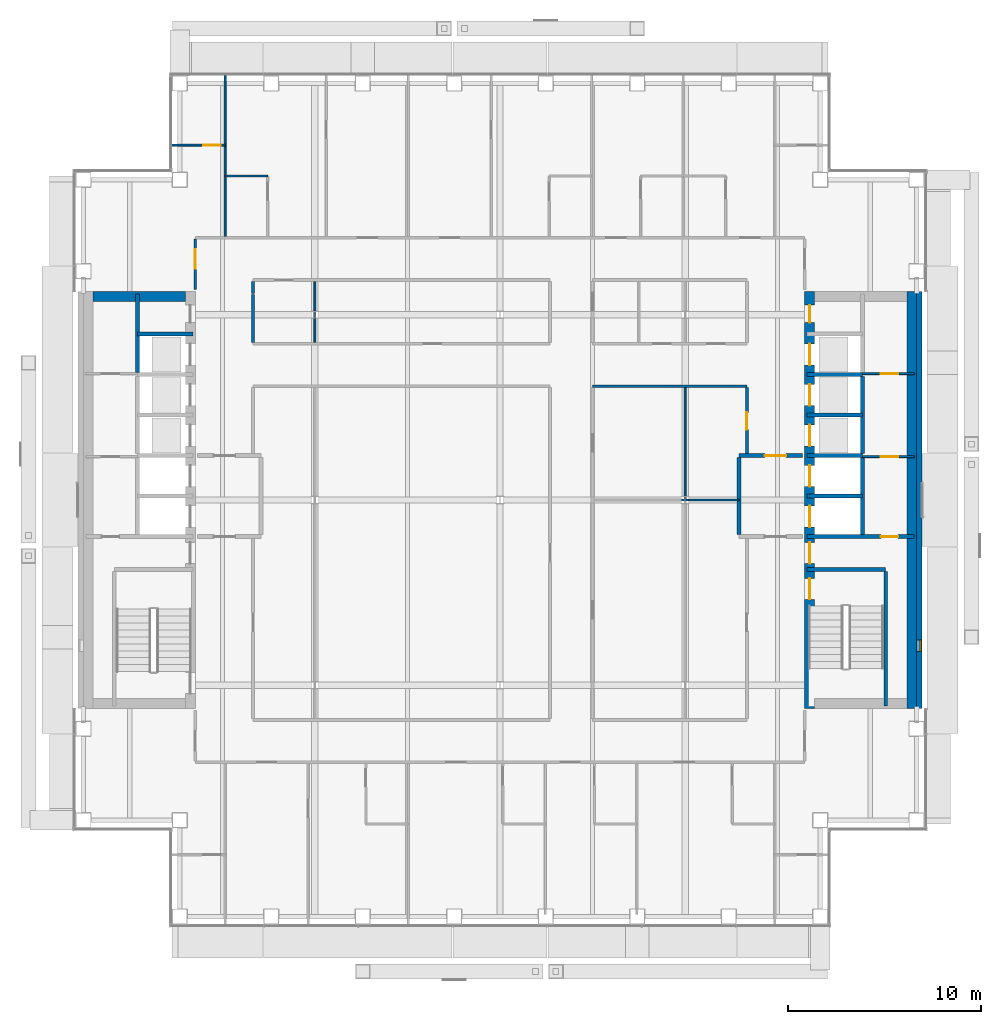
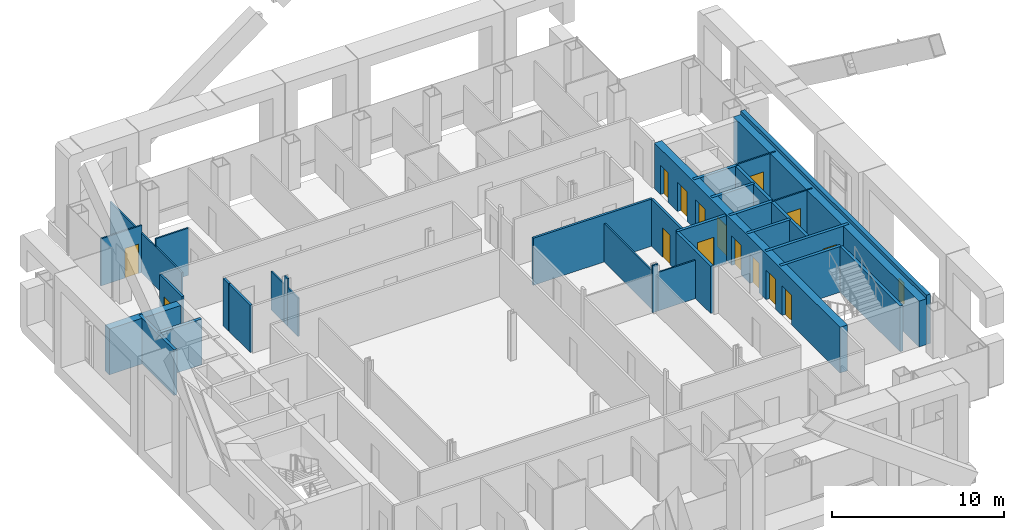
# One storey, part 14 of 22: 33 walls, 15 doors, 1 window, 16 openings.
"""IFC4 building model written with IfcOpenShell, lengths in metres."""

import ifcopenshell
import ifcopenshell.guid

model = None  # the IFC model being written
_history = None  # IfcOwnerHistory: only IFC2X3 demands one
_inside = {}  # id of a spatial element -> (the spatial element, [elements in it])
_under = {}  # id of a project, library or spatial element -> (it, [spatial elements below it])
_declared = {}  # id of a project -> (the project, [libraries it declares])
_typed = {}  # id of a type object -> (the type object, [elements of that type])
_made_of = {}  # id of a material, layer set ... -> (it, [elements and type objects made of it])


def new_model(schema):
    """Start an empty IFC model of exactly this schema.

    Asked for "IFC4X3", IfcOpenShell would pick the latest addendum, in which some entities
    have other attributes; the version numbers below select the first issue.
    IFC2X3 requires an IfcOwnerHistory on every rooted entity: one is made here for all.
    """
    global model, _history
    if schema == "IFC4X3":
        model = ifcopenshell.file(schema_version=(4, 3, 0, 0))
    else:
        model = ifcopenshell.file(schema=schema)
    _inside.clear()
    _under.clear()
    _declared.clear()
    _typed.clear()
    _made_of.clear()
    _history = None
    if model.schema == "IFC2X3":
        org = make("IfcOrganization", Name="unknown")
        user = make(
            "IfcPersonAndOrganization",
            ThePerson=make("IfcPerson", FamilyName="unknown"),
            TheOrganization=org,
        )
        app = make(
            "IfcApplication",
            ApplicationDeveloper=org,
            Version="unknown",
            ApplicationFullName="unknown",
            ApplicationIdentifier="unknown",
        )
        _history = make(
            "IfcOwnerHistory",
            OwningUser=user,
            OwningApplication=app,
            ChangeAction="ADDED",
            CreationDate=0,
        )
    return model


def make(cls, **values):
    """One entity of the class cls with the attributes given. An attribute that is None is left unset."""
    return model.create_entity(
        cls, **{name: value for name, value in values.items() if value is not None}
    )


def rooted(cls, **values):
    """An entity with a GlobalId (a new one), such as an element, a storey or a relation."""
    return make(cls, GlobalId=ifcopenshell.guid.new(), OwnerHistory=_history, **values)


def si_unit(unit_type, name, prefix=None):
    """IfcSIUnit, for example si_unit("LENGTHUNIT", "METRE", prefix="MILLI")."""
    return make("IfcSIUnit", UnitType=unit_type, Prefix=prefix, Name=name)


def assignment(units):
    """IfcUnitAssignment: the units of a project."""
    return None if units is None else make("IfcUnitAssignment", Units=units)


def point(xyz):
    """IfcCartesianPoint."""
    return None if xyz is None else make("IfcCartesianPoint", Coordinates=xyz)


def direction(xyz):
    """IfcDirection."""
    return None if xyz is None else make("IfcDirection", DirectionRatios=xyz)


def frame(location, z_axis=None, x_axis=None):
    """IfcAxis2Placement3D, a coordinate frame: its origin and axes. An axis left out is left unset."""
    return make(
        "IfcAxis2Placement3D",
        Location=point(location),
        Axis=direction(z_axis),
        RefDirection=direction(x_axis),
    )


def frame_2d(location, x_axis=None):
    """IfcAxis2Placement2D, a coordinate frame in the plane: its origin and x axis."""
    return make(
        "IfcAxis2Placement2D", Location=point(location), RefDirection=direction(x_axis)
    )


def origin():
    """The frame at (0, 0, 0) with its axes left unset."""
    return frame((0.0, 0.0, 0.0))


def place(relative_to, where):
    """IfcLocalPlacement: puts the frame where relative to a parent placement (None: the world)."""
    return make(
        "IfcLocalPlacement", PlacementRelTo=relative_to, RelativePlacement=where
    )


def context(
    kind, dimensions, precision=None, world=None, true_north=None, identifier=None
):
    """IfcGeometricRepresentationContext, for example the 3D "Model" context."""
    return make(
        "IfcGeometricRepresentationContext",
        ContextIdentifier=identifier,
        ContextType=kind,
        CoordinateSpaceDimension=dimensions,
        Precision=precision,
        WorldCoordinateSystem=world,
        TrueNorth=true_north,
    )


def subcontext(parent, identifier, kind, view, scale=None):
    """IfcGeometricRepresentationSubContext, for example "Body" below "Model"."""
    return make(
        "IfcGeometricRepresentationSubContext",
        ContextIdentifier=identifier,
        ContextType=kind,
        ParentContext=parent,
        TargetScale=scale,
        TargetView=view,
    )


def project(units=None, contexts=None):
    """IfcProject with its units and contexts."""
    return rooted(
        "IfcProject",
        Name="project",
        RepresentationContexts=contexts,
        UnitsInContext=assignment(units),
    )


def spatial(cls, under=None, at=None, **own):
    """A site, building, storey or space (cls), placed at a placement, below another one or the project."""
    s = rooted(cls, ObjectPlacement=at, **own)
    if under is not None:
        _under.setdefault(under.id(), (under, []))[1].append(s)
    return s


def profile(cls, at=None, kind="AREA", **sizes):
    """A parametric profile (cls). Its sizes go by their IFC names, for example OverallWidth=200.0."""
    return make(cls, ProfileType=kind, Position=at, **sizes)


def rectangle(**sizes):
    """IfcRectangleProfileDef."""
    return profile("IfcRectangleProfileDef", **sizes)


def extrude(swept, where, along, depth):
    """IfcExtrudedAreaSolid: the profile swept, set in the frame where, extruded along a direction by depth."""
    return make(
        "IfcExtrudedAreaSolid",
        SweptArea=swept,
        Position=where,
        ExtrudedDirection=direction(along),
        Depth=depth,
    )


def shape(context_of_items, identifier, shape_type, items):
    """IfcShapeRepresentation: the items that make up one representation, for example the "Body"."""
    return make(
        "IfcShapeRepresentation",
        ContextOfItems=context_of_items,
        RepresentationIdentifier=identifier,
        RepresentationType=shape_type,
        Items=items,
    )


def material(Name=None, Category=None):
    """IfcMaterial."""
    return make("IfcMaterial", Name=Name, Category=Category)


def layer(
    of_material, thickness, ventilated=None, Name=None, Category=None, Priority=None
):
    """IfcMaterialLayer: one layer of a wall or slab, of a material (None: an air gap)."""
    return make(
        "IfcMaterialLayer",
        Material=of_material,
        LayerThickness=thickness,
        IsVentilated=ventilated,
        Name=Name,
        Category=Category,
        Priority=Priority,
    )


def layer_set(layers, Name=None):
    """IfcMaterialLayerSet."""
    return make("IfcMaterialLayerSet", MaterialLayers=layers, LayerSetName=Name)


def made_of(thing, what):
    """Note that an element or type object is made of a material, layer set ...; save() writes the relation."""
    if what is not None:
        _made_of.setdefault(what.id(), (what, []))[1].append(thing)
    return thing


def type_object(cls, material=None, **own):
    """A type object (cls), such as IfcWallType, which elements share."""
    return made_of(rooted(cls, **own), material)


def element(
    cls,
    number,
    at=None,
    inside=None,
    cuts=None,
    type_object=None,
    material=None,
    context=None,
    identifier="Body",
    shape_type=None,
    held_by="IfcProductDefinitionShape",
    body=None,
    shapes=None,
    **own,
):
    """One element of the class cls, such as IfcWall. Its Tag is "e" and its number.

    at: its placement. inside: the storey or other place that contains it. cuts: it is an
    opening in that element (IfcRelVoidsElement). A single representation is given by context,
    identifier, shape_type and body (its items); several are given by shapes. held_by: the class
    of the entity that holds the representations. save() writes the other relations.
    """
    e = rooted(cls, Tag="e%d" % number, ObjectPlacement=at, **own)
    if body is not None:
        shapes = [shape(context, identifier, shape_type, body)]
    if shapes is not None:
        e.Representation = make(held_by, Representations=shapes)
    if inside is not None:
        _inside.setdefault(inside.id(), (inside, []))[1].append(e)
    if cuts is not None:
        rooted(
            "IfcRelVoidsElement", RelatingBuildingElement=cuts, RelatedOpeningElement=e
        )
    if type_object is not None:
        _typed.setdefault(type_object.id(), (type_object, []))[1].append(e)
    return made_of(e, material)


def fill(opening, filler):
    """IfcRelFillsElement: the door or window that sits in an opening."""
    return rooted(
        "IfcRelFillsElement",
        RelatingOpeningElement=opening,
        RelatedBuildingElement=filler,
    )


def aggregate(whole, parts):
    """IfcRelAggregates: a whole, such as a stair, and the parts it consists of."""
    return rooted("IfcRelAggregates", RelatingObject=whole, RelatedObjects=parts)


def save(model, path):
    """Write the relations noted so far, then the file.

    IfcRelAggregates (storeys below a building ...), IfcRelContainedInSpatialStructure (elements
    in a storey), IfcRelDefinesByType, IfcRelAssociatesMaterial and IfcRelDeclares: one each for
    every whole, place, type object, material and project.
    """
    for whole, parts in _under.values():
        aggregate(whole, parts)
    for where, things in _inside.values():
        rooted(
            "IfcRelContainedInSpatialStructure",
            RelatedElements=things,
            RelatingStructure=where,
        )
    for kind, things in _typed.values():
        rooted("IfcRelDefinesByType", RelatedObjects=things, RelatingType=kind)
    for what, things in _made_of.values():
        rooted("IfcRelAssociatesMaterial", RelatedObjects=things, RelatingMaterial=what)
    for by, libraries in _declared.values():
        rooted("IfcRelDeclares", RelatingContext=by, RelatedDefinitions=libraries)
    model.write(path)


model = new_model("IFC4")

# Units and contexts
model_context = context("Model", 3, precision=1e-05, world=origin(), true_north=direction((0.0, 1.0)))
body_context = subcontext(model_context, "Body", "Model", "MODEL_VIEW")
ifc_project = project(units=[si_unit("LENGTHUNIT", "METRE"), si_unit("AREAUNIT", "SQUARE_METRE"), si_unit("VOLUMEUNIT", "CUBIC_METRE"), si_unit("PLANEANGLEUNIT", "RADIAN"), si_unit("MASSUNIT", "GRAM", prefix="KILO")], contexts=[model_context])

# Site, building, storey
site_placement = place(None, origin())
site = spatial("IfcSite", under=ifc_project, at=site_placement, CompositionType="ELEMENT")
building_placement = place(site_placement, origin())
building = spatial("IfcBuilding", under=site, at=building_placement, Name="Cobrizo Arcos Hotel Tower", CompositionType="ELEMENT")
storey_placement = place(building_placement, frame((0.0, 0.0, 162.0)))
storey = spatial("IfcBuildingStorey", under=building, at=storey_placement, Name="L41", CompositionType="ELEMENT", Elevation=162.0)

# Wall
ifc_material_1 = material(Name="Gypsum board partition")
ifc_layer_1 = layer(ifc_material_1, 0.14990234375)
ifc_layer_set_1 = layer_set([ifc_layer_1], Name="Corridor wall EI 60 150")
wall_type_1 = type_object("IfcWallType", Name="Corridor wall EI 60 150", PredefinedType="PARTITIONING", material=ifc_layer_set_1)
wall_1_placement = place(storey_placement, frame((4.800048828125, 5.89990234375, 0.0), z_axis=(0.0, 0.0, 1.0), x_axis=(1.0, 0.0, 0.0)))
element("IfcWall", 1, at=wall_1_placement, inside=storey, type_object=wall_type_1, Name="Partition 030", PredefinedType="PARTITIONING", context=body_context, shape_type="SweptSolid", body=[
    extrude(rectangle(XDim=8.0, YDim=0.14990234375, at=frame_2d((4.0, 0.0))), origin(), (0.0, 0.0, 1.0), 3.35009765625),
])

# Wall, opening, door
wall_2_placement = place(storey_placement, frame((-15.800048828125, 10.919921875, 0.0), z_axis=(0.0, 0.0, 1.0), x_axis=(0.0, 1.0, 0.0)))
wall_2 = element("IfcWall", 2, at=wall_2_placement, inside=storey, type_object=wall_type_1, Name="Partition 053", PredefinedType="PARTITIONING", context=body_context, shape_type="SweptSolid", body=[
    extrude(rectangle(XDim=2.60498046875, YDim=0.14990234375, at=frame_2d((1.302490234375, 0.0))), origin(), (0.0, 0.0, 1.0), 3.35009765625),
])
opening_1_placement = place(wall_2_placement, frame((1.080078125, 0.0, 0.0)))
opening_1 = element("IfcOpeningElement", 3, at=opening_1_placement, cuts=wall_2, Name="Opening GD-10", PredefinedType="OPENING", context=body_context, shape_type="SweptSolid", body=[
    extrude(rectangle(XDim=1.0, YDim=2.10009765625, at=frame_2d((0.5, 1.050048828125))), frame((0.0, 0.0869140625, 0.0), z_axis=(0.0, -1.0, 0.0), x_axis=(1.0, 0.0, 0.0)), (0.0, 0.0, 1.0), 0.173828125),
])
ifc_material_2 = material(Name="Timber door leaf", Category="wood")
door_type_1 = type_object("IfcDoorType", Name="Guest room door FD30S 1000x2100", OperationType="SINGLE_SWING_LEFT", PredefinedType="DOOR", material=ifc_material_2)
door_1_placement = place(opening_1_placement, origin())
door_1 = element("IfcDoor", 4, at=door_1_placement, inside=storey, type_object=door_type_1, Name="Door GD-10", OperationType="SINGLE_SWING_LEFT", OverallHeight=2.10009765625, OverallWidth=1.0, PredefinedType="DOOR", context=body_context, shape_type="SweptSolid", body=[
    extrude(rectangle(XDim=1.0, YDim=2.10009765625, at=frame_2d((0.5, 1.050048828125))), frame((0.0, 0.02490234375, 0.0), z_axis=(0.0, -1.0, 0.0), x_axis=(1.0, 0.0, 0.0)), (0.0, 0.0, 1.0), 0.050048828125),
])
fill(opening_1, door_1)

# Walls
wall_3_placement = place(storey_placement, frame((-12.800048828125, 8.175048828125, 0.0), z_axis=(0.0, 0.0, 1.0), x_axis=(0.0, 1.0, 0.0)))
element("IfcWall", 5, at=wall_3_placement, inside=storey, type_object=wall_type_1, Name="Partition 058", PredefinedType="PARTITIONING", context=body_context, shape_type="SweptSolid", body=[
    extrude(rectangle(XDim=2.474853515625, YDim=0.14990234375, at=frame_2d((1.2373046875, 0.0))), origin(), (0.0, 0.0, 1.0), 3.35009765625),
])
wall_4_placement = place(storey_placement, frame((-12.800048828125, 10.699951171875, 0.0), z_axis=(0.0, 0.0, 1.0), x_axis=(0.0, 1.0, 0.0)))
element("IfcWall", 6, at=wall_4_placement, inside=storey, type_object=wall_type_1, Name="Partition 059", PredefinedType="PARTITIONING", context=body_context, shape_type="SweptSolid", body=[
    extrude(rectangle(XDim=0.625, YDim=0.14990234375, at=frame_2d((0.3125, 0.0))), origin(), (0.0, 0.0, 1.0), 3.35009765625),
])

# Wall, opening, door
wall_5_placement = place(storey_placement, frame((12.800048828125, 2.39990234375, 0.0), z_axis=(0.0, 0.0, 1.0), x_axis=(0.0, 1.0, 0.0)))
wall_5 = element("IfcWall", 7, at=wall_5_placement, inside=storey, type_object=wall_type_1, Name="Partition 107", PredefinedType="PARTITIONING", context=body_context, shape_type="SweptSolid", body=[
    extrude(rectangle(XDim=3.425048828125, YDim=0.14990234375, at=frame_2d((1.71240234375, 0.0))), origin(), (0.0, 0.0, 1.0), 3.35009765625),
])
opening_2_placement = place(wall_5_placement, frame((1.25, 0.0, 0.0)))
opening_2 = element("IfcOpeningElement", 8, at=opening_2_placement, cuts=wall_5, Name="Opening RD-13", PredefinedType="OPENING", context=body_context, shape_type="SweptSolid", body=[
    extrude(rectangle(XDim=0.89990234375, YDim=2.10009765625, at=frame_2d((0.449951171875, 1.050048828125))), frame((0.0, 0.0869140625, 0.0), z_axis=(0.0, -1.0, 0.0), x_axis=(1.0, 0.0, 0.0)), (0.0, 0.0, 1.0), 0.173828125),
])
door_type_2 = type_object("IfcDoorType", Name="Room door FD30 900x2100", OperationType="SINGLE_SWING_LEFT", PredefinedType="DOOR", material=ifc_material_2)
door_2_placement = place(opening_2_placement, origin())
door_2 = element("IfcDoor", 9, at=door_2_placement, inside=storey, type_object=door_type_2, Name="Door RD-13", OperationType="SINGLE_SWING_RIGHT", OverallHeight=2.10009765625, OverallWidth=0.89990234375, PredefinedType="DOOR", context=body_context, shape_type="SweptSolid", body=[
    extrude(rectangle(XDim=0.89990234375, YDim=2.10009765625, at=frame_2d((0.449951171875, 1.050048828125))), frame((0.0, 0.02490234375, 0.0), z_axis=(0.0, -1.0, 0.0), x_axis=(1.0, 0.0, 0.0)), (0.0, 0.0, 1.0), 0.050048828125),
])
fill(opening_2, door_2)

# Wall, opening, window
ifc_material_3 = material(Name="Aluminium composite panel pale metal", Category="aluminium")
ifc_layer_2 = layer(ifc_material_3, 0.27490234375)
ifc_layer_set_2 = layer_set([ifc_layer_2], Name="EW-1 insulated panel wall 275")
wall_type_2 = type_object("IfcWallType", Name="EW-1 insulated panel wall 275", PredefinedType="SOLIDWALL", material=ifc_layer_set_2)
wall_6_placement = place(storey_placement, frame((21.737548828125, -10.800048828125, 0.0), z_axis=(0.0, 0.0, 1.0), x_axis=(0.0, 1.0, 0.0)))
wall_6 = element("IfcWall", 10, at=wall_6_placement, inside=storey, type_object=wall_type_2, Name="Core face wall L41 E", PredefinedType="SOLIDWALL", context=body_context, shape_type="SweptSolid", body=[
    extrude(rectangle(XDim=21.60009765625, YDim=0.27490234375, at=frame_2d((10.800048828125, 0.0))), origin(), (0.0, 0.0, 1.0), 3.5),
])
opening_3_placement = place(wall_6_placement, frame((2.949951171875, 0.0, 1.0)))
opening_3 = element("IfcOpeningElement", 11, at=opening_3_placement, cuts=wall_6, Name="Opening W-89", PredefinedType="OPENING", context=body_context, shape_type="SweptSolid", body=[
    extrude(rectangle(XDim=0.60009765625, YDim=1.5, at=frame_2d((0.300048828125, 0.75))), frame((0.0, 0.1494140625, 0.0), z_axis=(0.0, -1.0, 0.0), x_axis=(1.0, 0.0, 0.0)), (0.0, 0.0, 1.0), 0.298828125),
])
ifc_material_4 = material(Name="Aluminium 6063-T6 and clear laminated glass", Category="aluminium")
window_type = type_object("IfcWindowType", Name="W-C1 core stair slot window 600x1500", PartitioningType="SINGLE_PANEL", PredefinedType="WINDOW", material=ifc_material_4)
window_placement = place(opening_3_placement, origin())
window = element("IfcWindow", 12, at=window_placement, inside=storey, type_object=window_type, Name="Core face wall L41 E window W-89", OverallHeight=1.5, OverallWidth=0.60009765625, PartitioningType="SINGLE_PANEL", PredefinedType="WINDOW", context=body_context, shape_type="SweptSolid", body=[
    extrude(rectangle(XDim=0.60009765625, YDim=1.5, at=frame_2d((0.300048828125, 0.75))), frame((0.0, -0.04736328125, 0.0), z_axis=(0.0, -1.0, 0.0), x_axis=(1.0, 0.0, 0.0)), (0.0, 0.0, 1.0), 0.06005859375),
])
fill(opening_3, window)

# Walls
ifc_layer_3 = layer(ifc_material_1, 0.10009765625)
ifc_layer_set_3 = layer_set([ifc_layer_3], Name="Partition EI 30 100")
wall_type_3 = type_object("IfcWallType", Name="Partition EI 30 100", PredefinedType="PARTITIONING", material=ifc_layer_set_3)
wall_7_placement = place(storey_placement, frame((9.4130859375, 0.0, 0.0), z_axis=(0.0, 0.0, 1.0), x_axis=(1.0, 0.0, 0.0)))
element("IfcWall", 13, at=wall_7_placement, inside=storey, type_object=wall_type_3, Name="Partition 017", PredefinedType="PARTITIONING", context=body_context, shape_type="SweptSolid", body=[
    extrude(rectangle(XDim=0.3740234375, YDim=0.10009765625, at=frame_2d((0.18701171875, 0.0))), origin(), (0.0, 0.0, 1.0), 3.35009765625),
])
wall_8_placement = place(storey_placement, frame((9.787109375, 0.0, 0.0), z_axis=(0.0, 0.0, 1.0), x_axis=(1.0, 0.0, 0.0)))
element("IfcWall", 14, at=wall_8_placement, inside=storey, type_object=wall_type_3, Name="Partition 018", PredefinedType="PARTITIONING", context=body_context, shape_type="SweptSolid", body=[
    extrude(rectangle(XDim=2.61279296875, YDim=0.10009765625, at=frame_2d((1.306396484375, 0.0))), origin(), (0.0, 0.0, 1.0), 2.72802734375),
])

# Wall, opening, door
wall_9_placement = place(storey_placement, frame((18.800048828125, 2.25, 0.0), z_axis=(0.0, 0.0, 1.0), x_axis=(1.0, 0.0, 0.0)))
wall_9 = element("IfcWall", 15, at=wall_9_placement, inside=storey, type_object=wall_type_3, Name="Partition 022", PredefinedType="PARTITIONING", context=body_context, shape_type="SweptSolid", body=[
    extrude(rectangle(XDim=2.679931640625, YDim=0.10009765625, at=frame_2d((1.33984375, 0.0))), origin(), (0.0, 0.0, 1.0), 3.25),
])
opening_4_placement = place(wall_9_placement, frame((0.949951171875, 0.0, 0.0)))
opening_4 = element("IfcOpeningElement", 16, at=opening_4_placement, cuts=wall_9, Name="Opening RD-06", PredefinedType="OPENING", context=body_context, shape_type="SweptSolid", body=[
    extrude(rectangle(XDim=0.89990234375, YDim=2.10009765625, at=frame_2d((0.449951171875, 1.050048828125))), frame((0.0, 0.06201171875, 0.0), z_axis=(0.0, -1.0, 0.0), x_axis=(1.0, 0.0, 0.0)), (0.0, 0.0, 1.0), 0.1240234375),
])
door_3_placement = place(opening_4_placement, origin())
door_3 = element("IfcDoor", 17, at=door_3_placement, inside=storey, type_object=door_type_2, Name="Door RD-06", OperationType="SINGLE_SWING_LEFT", OverallHeight=2.10009765625, OverallWidth=0.89990234375, PredefinedType="DOOR", context=body_context, shape_type="SweptSolid", body=[
    extrude(rectangle(XDim=0.89990234375, YDim=2.10009765625, at=frame_2d((0.449951171875, 1.050048828125))), frame((0.0, 0.02490234375, 0.0), z_axis=(0.0, -1.0, 0.0), x_axis=(1.0, 0.0, 0.0)), (0.0, 0.0, 1.0), 0.050048828125),
])
fill(opening_4, door_3)

wall_10_placement = place(storey_placement, frame((18.800048828125, 6.550048828125, 0.0), z_axis=(0.0, 0.0, 1.0), x_axis=(1.0, 0.0, 0.0)))
wall_10 = element("IfcWall", 18, at=wall_10_placement, inside=storey, type_object=wall_type_3, Name="Partition 034", PredefinedType="PARTITIONING", context=body_context, shape_type="SweptSolid", body=[
    extrude(rectangle(XDim=2.679931640625, YDim=0.10009765625, at=frame_2d((1.33984375, 0.0))), origin(), (0.0, 0.0, 1.0), 3.25),
])
opening_5_placement = place(wall_10_placement, frame((0.949951171875, 0.0, 0.0)))
opening_5 = element("IfcOpeningElement", 19, at=opening_5_placement, cuts=wall_10, Name="Opening RD-07", PredefinedType="OPENING", context=body_context, shape_type="SweptSolid", body=[
    extrude(rectangle(XDim=0.89990234375, YDim=2.10009765625, at=frame_2d((0.449951171875, 1.050048828125))), frame((0.0, 0.06201171875, 0.0), z_axis=(0.0, -1.0, 0.0), x_axis=(1.0, 0.0, 0.0)), (0.0, 0.0, 1.0), 0.1240234375),
])
door_4_placement = place(opening_5_placement, origin())
door_4 = element("IfcDoor", 20, at=door_4_placement, inside=storey, type_object=door_type_2, Name="Door RD-07", OperationType="SINGLE_SWING_LEFT", OverallHeight=2.10009765625, OverallWidth=0.89990234375, PredefinedType="DOOR", context=body_context, shape_type="SweptSolid", body=[
    extrude(rectangle(XDim=0.89990234375, YDim=2.10009765625, at=frame_2d((0.449951171875, 1.050048828125))), frame((0.0, 0.02490234375, 0.0), z_axis=(0.0, -1.0, 0.0), x_axis=(1.0, 0.0, 0.0)), (0.0, 0.0, 1.0), 0.050048828125),
])
fill(opening_5, door_4)

# Wall
wall_11_placement = place(storey_placement, frame((-14.25, 16.800048828125, 0.0), z_axis=(0.0, 0.0, 1.0), x_axis=(1.0, 0.0, 0.0)))
element("IfcWall", 21, at=wall_11_placement, inside=storey, type_object=wall_type_3, Name="Partition 042", PredefinedType="PARTITIONING", context=body_context, shape_type="SweptSolid", body=[
    extrude(rectangle(XDim=2.199951171875, YDim=0.10009765625, at=frame_2d((1.10009765625, 0.0))), origin(), (0.0, 0.0, 1.0), 3.35009765625),
])

# Wall, opening, door
wall_12_placement = place(storey_placement, frame((-17.030029296875, 18.39990234375, 0.0), z_axis=(0.0, 0.0, 1.0), x_axis=(1.0, 0.0, 0.0)))
wall_12 = element("IfcWall", 22, at=wall_12_placement, inside=storey, type_object=wall_type_3, Name="Partition 045", PredefinedType="PARTITIONING", context=body_context, shape_type="SweptSolid", body=[
    extrude(rectangle(XDim=2.780029296875, YDim=0.10009765625, at=frame_2d((1.39013671875, 0.0))), origin(), (0.0, 0.0, 1.0), 3.35009765625),
])
opening_6_placement = place(wall_12_placement, frame((1.639892578125, 0.0, 0.0)))
opening_6 = element("IfcOpeningElement", 23, at=opening_6_placement, cuts=wall_12, Name="Opening ED-11", PredefinedType="OPENING", context=body_context, shape_type="SweptSolid", body=[
    extrude(rectangle(XDim=0.89990234375, YDim=2.10009765625, at=frame_2d((0.449951171875, 1.050048828125))), frame((0.0, 0.06201171875, 0.0), z_axis=(0.0, -1.0, 0.0), x_axis=(1.0, 0.0, 0.0)), (0.0, 0.0, 1.0), 0.1240234375),
])
door_type_3 = type_object("IfcDoorType", Name="En-suite door 900x2100", OperationType="SINGLE_SWING_LEFT", PredefinedType="DOOR", material=ifc_material_2)
door_5_placement = place(opening_6_placement, origin())
door_5 = element("IfcDoor", 24, at=door_5_placement, inside=storey, type_object=door_type_3, Name="Door ED-11", OperationType="SINGLE_SWING_RIGHT", OverallHeight=2.10009765625, OverallWidth=0.89990234375, PredefinedType="DOOR", context=body_context, shape_type="SweptSolid", body=[
    extrude(rectangle(XDim=0.89990234375, YDim=2.10009765625, at=frame_2d((0.449951171875, 1.050048828125))), frame((0.0, 0.02490234375, 0.0), z_axis=(0.0, -1.0, 0.0), x_axis=(1.0, 0.0, 0.0)), (0.0, 0.0, 1.0), 0.050048828125),
])
fill(opening_6, door_5)

# Walls
wall_13_placement = place(storey_placement, frame((-14.25, 13.675048828125, 0.0), z_axis=(0.0, 0.0, 1.0), x_axis=(0.0, 1.0, 0.0)))
element("IfcWall", 25, at=wall_13_placement, inside=storey, type_object=wall_type_3, Name="Partition 055", PredefinedType="PARTITIONING", context=body_context, shape_type="SweptSolid", body=[
    extrude(rectangle(XDim=8.35498046875, YDim=0.10009765625, at=frame_2d((4.177490234375, 0.0))), origin(), (0.0, 0.0, 1.0), 2.81689453125),
])
wall_14_placement = place(storey_placement, frame((-9.60009765625, 8.175048828125, 0.0), z_axis=(0.0, 0.0, 1.0), x_axis=(0.0, 1.0, 0.0)))
element("IfcWall", 26, at=wall_14_placement, inside=storey, type_object=wall_type_3, Name="Partition 068", PredefinedType="PARTITIONING", context=body_context, shape_type="SweptSolid", body=[
    extrude(rectangle(XDim=1.238037109375, YDim=0.10009765625, at=frame_2d((0.619140625, 0.0))), origin(), (0.0, 0.0, 1.0), 2.72802734375),
])
wall_15_placement = place(storey_placement, frame((-9.60009765625, 9.4130859375, 0.0), z_axis=(0.0, 0.0, 1.0), x_axis=(0.0, 1.0, 0.0)))
element("IfcWall", 27, at=wall_15_placement, inside=storey, type_object=wall_type_3, Name="Partition 069", PredefinedType="PARTITIONING", context=body_context, shape_type="SweptSolid", body=[
    extrude(rectangle(XDim=0.3740234375, YDim=0.10009765625, at=frame_2d((0.18701171875, 0.0))), origin(), (0.0, 0.0, 1.0), 3.35009765625),
])
wall_16_placement = place(storey_placement, frame((-9.60009765625, 9.787109375, 0.0), z_axis=(0.0, 0.0, 1.0), x_axis=(0.0, 1.0, 0.0)))
element("IfcWall", 28, at=wall_16_placement, inside=storey, type_object=wall_type_3, Name="Partition 070", PredefinedType="PARTITIONING", context=body_context, shape_type="SweptSolid", body=[
    extrude(rectangle(XDim=1.537841796875, YDim=0.10009765625, at=frame_2d((0.76904296875, 0.0))), origin(), (0.0, 0.0, 1.0), 2.72802734375),
])
wall_17_placement = place(storey_placement, frame((9.60009765625, 0.050048828125, 0.0), z_axis=(0.0, 0.0, 1.0), x_axis=(0.0, 1.0, 0.0)))
element("IfcWall", 29, at=wall_17_placement, inside=storey, type_object=wall_type_3, Name="Partition 099", PredefinedType="PARTITIONING", context=body_context, shape_type="SweptSolid", body=[
    extrude(rectangle(XDim=5.77490234375, YDim=0.10009765625, at=frame_2d((2.887451171875, 0.0))), origin(), (0.0, 0.0, 1.0), 2.72802734375),
])

# Wall, openings, doors
ifc_material_5 = material(Name="Concrete f'c 50 MPa", Category="concrete")
ifc_layer_4 = layer(ifc_material_5, 0.5)
ifc_layer_set_4 = layer_set([ifc_layer_4], Name="RC core wall 500 f'c 50")
wall_type_4 = type_object("IfcWallType", Name="RC core wall 500 f'c 50", PredefinedType="SHEAR", material=ifc_layer_set_4)
wall_18_placement = place(storey_placement, frame((16.050048828125, -10.800048828125, 0.0), z_axis=(0.0, 0.0, 1.0), x_axis=(0.0, 1.0, 0.0)))
wall_18 = element("IfcWall", 30, at=wall_18_placement, inside=storey, type_object=wall_type_4, Name="Core wall CW3, east core, inner face, L41", PredefinedType="SHEAR", context=body_context, shape_type="SweptSolid", body=[
    extrude(rectangle(XDim=21.60009765625, YDim=0.5, at=frame_2d((10.800048828125, 0.0))), origin(), (0.0, 0.0, 1.0), 3.25),
])
opening_7_placement = place(wall_18_placement, frame((9.39990234375, 0.0, 0.0)))
opening_7 = element("IfcOpeningElement", 31, at=opening_7_placement, cuts=wall_18, Name="Opening LD-06", PredefinedType="OPENING", context=body_context, shape_type="SweptSolid", body=[
    extrude(rectangle(XDim=1.10009765625, YDim=2.10009765625, at=frame_2d((0.550048828125, 1.050048828125))), frame((0.0, 0.261962890625, 0.0), z_axis=(0.0, -1.0, 0.0), x_axis=(1.0, 0.0, 0.0)), (0.0, 0.0, 1.0), 0.52392578125),
])
opening_8_placement = place(wall_18_placement, frame((11.5, 0.0, 0.0)))
opening_8 = element("IfcOpeningElement", 32, at=opening_8_placement, cuts=wall_18, Name="Opening LD-07", PredefinedType="OPENING", context=body_context, shape_type="SweptSolid", body=[
    extrude(rectangle(XDim=1.10009765625, YDim=2.10009765625, at=frame_2d((0.550048828125, 1.050048828125))), frame((0.0, 0.261962890625, 0.0), z_axis=(0.0, -1.0, 0.0), x_axis=(1.0, 0.0, 0.0)), (0.0, 0.0, 1.0), 0.52392578125),
])
opening_9_placement = place(wall_18_placement, frame((13.60009765625, 0.0, 0.0)))
opening_9 = element("IfcOpeningElement", 33, at=opening_9_placement, cuts=wall_18, Name="Opening LD-08", PredefinedType="OPENING", context=body_context, shape_type="SweptSolid", body=[
    extrude(rectangle(XDim=1.10009765625, YDim=2.10009765625, at=frame_2d((0.550048828125, 1.050048828125))), frame((0.0, 0.261962890625, 0.0), z_axis=(0.0, -1.0, 0.0), x_axis=(1.0, 0.0, 0.0)), (0.0, 0.0, 1.0), 0.52392578125),
])
opening_10_placement = place(wall_18_placement, frame((15.699951171875, 0.0, 0.0)))
opening_10 = element("IfcOpeningElement", 34, at=opening_10_placement, cuts=wall_18, Name="Opening LD-09", PredefinedType="OPENING", context=body_context, shape_type="SweptSolid", body=[
    extrude(rectangle(XDim=1.10009765625, YDim=2.10009765625, at=frame_2d((0.550048828125, 1.050048828125))), frame((0.0, 0.261962890625, 0.0), z_axis=(0.0, -1.0, 0.0), x_axis=(1.0, 0.0, 0.0)), (0.0, 0.0, 1.0), 0.52392578125),
])
opening_11_placement = place(wall_18_placement, frame((17.800048828125, 0.0, 0.0)))
opening_11 = element("IfcOpeningElement", 35, at=opening_11_placement, cuts=wall_18, Name="Opening LD-10", PredefinedType="OPENING", context=body_context, shape_type="SweptSolid", body=[
    extrude(rectangle(XDim=1.10009765625, YDim=2.10009765625, at=frame_2d((0.550048828125, 1.050048828125))), frame((0.0, 0.261962890625, 0.0), z_axis=(0.0, -1.0, 0.0), x_axis=(1.0, 0.0, 0.0)), (0.0, 0.0, 1.0), 0.52392578125),
])
opening_12_placement = place(wall_18_placement, frame((5.64208984375, 0.0, 0.0)))
opening_12 = element("IfcOpeningElement", 36, at=opening_12_placement, cuts=wall_18, Name="Opening SD-02", PredefinedType="OPENING", context=body_context, shape_type="SweptSolid", body=[
    extrude(rectangle(XDim=1.10009765625, YDim=2.10009765625, at=frame_2d((0.550048828125, 1.050048828125))), frame((0.0, 0.261962890625, 0.0), z_axis=(0.0, -1.0, 0.0), x_axis=(1.0, 0.0, 0.0)), (0.0, 0.0, 1.0), 0.52392578125),
])
opening_13_placement = place(wall_18_placement, frame((7.5, 0.0, 0.0)))
opening_13 = element("IfcOpeningElement", 37, at=opening_13_placement, cuts=wall_18, Name="Opening FD-04", PredefinedType="OPENING", context=body_context, shape_type="SweptSolid", body=[
    extrude(rectangle(XDim=1.10009765625, YDim=2.10009765625, at=frame_2d((0.550048828125, 1.050048828125))), frame((0.0, 0.261962890625, 0.0), z_axis=(0.0, -1.0, 0.0), x_axis=(1.0, 0.0, 0.0)), (0.0, 0.0, 1.0), 0.52392578125),
])
opening_14_placement = place(wall_18_placement, frame((20.0, 0.0, 0.0)))
opening_14 = element("IfcOpeningElement", 38, at=opening_14_placement, cuts=wall_18, Name="Opening RD-04", PredefinedType="OPENING", context=body_context, shape_type="SweptSolid", body=[
    extrude(rectangle(XDim=0.89990234375, YDim=2.10009765625, at=frame_2d((0.449951171875, 1.050048828125))), frame((0.0, 0.261962890625, 0.0), z_axis=(0.0, -1.0, 0.0), x_axis=(1.0, 0.0, 0.0)), (0.0, 0.0, 1.0), 0.52392578125),
])
ifc_material_6 = material(Name="Steel door leaf", Category="steel")
door_type_4 = type_object("IfcDoorType", Name="Fire door FD60 1100x2100", OperationType="SINGLE_SWING_LEFT", PredefinedType="DOOR", material=ifc_material_6)
door_6_placement = place(opening_13_placement, origin())
door_6 = element("IfcDoor", 39, at=door_6_placement, inside=storey, type_object=door_type_4, Name="Door FD-04", OperationType="SINGLE_SWING_RIGHT", OverallHeight=2.10009765625, OverallWidth=1.10009765625, PredefinedType="DOOR", context=body_context, shape_type="SweptSolid", body=[
    extrude(rectangle(XDim=1.10009765625, YDim=2.10009765625, at=frame_2d((0.550048828125, 1.050048828125))), frame((0.0, 0.02490234375, 0.0), z_axis=(0.0, -1.0, 0.0), x_axis=(1.0, 0.0, 0.0)), (0.0, 0.0, 1.0), 0.050048828125),
])
fill(opening_13, door_6)
door_type_5 = type_object("IfcDoorType", Name="Lift landing door 1100x2100", OperationType="SLIDING_TO_LEFT", PredefinedType="DOOR", material=ifc_material_6)
door_7_placement = place(opening_7_placement, origin())
door_7 = element("IfcDoor", 40, at=door_7_placement, inside=storey, type_object=door_type_5, Name="Lift landing door LD-06", OperationType="SLIDING_TO_LEFT", OverallHeight=2.10009765625, OverallWidth=1.10009765625, PredefinedType="DOOR", context=body_context, shape_type="SweptSolid", body=[
    extrude(rectangle(XDim=1.10009765625, YDim=2.10009765625, at=frame_2d((0.550048828125, 1.050048828125))), frame((0.0, 0.02490234375, 0.0), z_axis=(0.0, -1.0, 0.0), x_axis=(1.0, 0.0, 0.0)), (0.0, 0.0, 1.0), 0.050048828125),
])
fill(opening_7, door_7)
door_8_placement = place(opening_8_placement, origin())
door_8 = element("IfcDoor", 41, at=door_8_placement, inside=storey, type_object=door_type_5, Name="Lift landing door LD-07", OperationType="SLIDING_TO_LEFT", OverallHeight=2.10009765625, OverallWidth=1.10009765625, PredefinedType="DOOR", context=body_context, shape_type="SweptSolid", body=[
    extrude(rectangle(XDim=1.10009765625, YDim=2.10009765625, at=frame_2d((0.550048828125, 1.050048828125))), frame((0.0, 0.02490234375, 0.0), z_axis=(0.0, -1.0, 0.0), x_axis=(1.0, 0.0, 0.0)), (0.0, 0.0, 1.0), 0.050048828125),
])
fill(opening_8, door_8)
door_9_placement = place(opening_9_placement, origin())
door_9 = element("IfcDoor", 42, at=door_9_placement, inside=storey, type_object=door_type_5, Name="Lift landing door LD-08", OperationType="SLIDING_TO_LEFT", OverallHeight=2.10009765625, OverallWidth=1.10009765625, PredefinedType="DOOR", context=body_context, shape_type="SweptSolid", body=[
    extrude(rectangle(XDim=1.10009765625, YDim=2.10009765625, at=frame_2d((0.550048828125, 1.050048828125))), frame((0.0, 0.02490234375, 0.0), z_axis=(0.0, -1.0, 0.0), x_axis=(1.0, 0.0, 0.0)), (0.0, 0.0, 1.0), 0.050048828125),
])
fill(opening_9, door_9)
door_10_placement = place(opening_10_placement, origin())
door_10 = element("IfcDoor", 43, at=door_10_placement, inside=storey, type_object=door_type_5, Name="Lift landing door LD-09", OperationType="SLIDING_TO_LEFT", OverallHeight=2.10009765625, OverallWidth=1.10009765625, PredefinedType="DOOR", context=body_context, shape_type="SweptSolid", body=[
    extrude(rectangle(XDim=1.10009765625, YDim=2.10009765625, at=frame_2d((0.550048828125, 1.050048828125))), frame((0.0, 0.02490234375, 0.0), z_axis=(0.0, -1.0, 0.0), x_axis=(1.0, 0.0, 0.0)), (0.0, 0.0, 1.0), 0.050048828125),
])
fill(opening_10, door_10)
door_11_placement = place(opening_11_placement, origin())
door_11 = element("IfcDoor", 44, at=door_11_placement, inside=storey, type_object=door_type_5, Name="Lift landing door LD-10", OperationType="SLIDING_TO_LEFT", OverallHeight=2.10009765625, OverallWidth=1.10009765625, PredefinedType="DOOR", context=body_context, shape_type="SweptSolid", body=[
    extrude(rectangle(XDim=1.10009765625, YDim=2.10009765625, at=frame_2d((0.550048828125, 1.050048828125))), frame((0.0, 0.02490234375, 0.0), z_axis=(0.0, -1.0, 0.0), x_axis=(1.0, 0.0, 0.0)), (0.0, 0.0, 1.0), 0.050048828125),
])
fill(opening_11, door_11)
door_12_placement = place(opening_14_placement, origin())
door_12 = element("IfcDoor", 45, at=door_12_placement, inside=storey, type_object=door_type_2, Name="Door RD-04", OperationType="SINGLE_SWING_RIGHT", OverallHeight=2.10009765625, OverallWidth=0.89990234375, PredefinedType="DOOR", context=body_context, shape_type="SweptSolid", body=[
    extrude(rectangle(XDim=0.89990234375, YDim=2.10009765625, at=frame_2d((0.449951171875, 1.050048828125))), frame((0.0, 0.02490234375, 0.0), z_axis=(0.0, -1.0, 0.0), x_axis=(1.0, 0.0, 0.0)), (0.0, 0.0, 1.0), 0.050048828125),
])
fill(opening_14, door_12)
door_type_6 = type_object("IfcDoorType", Name="Stair door FD60S 1100x2100", OperationType="SINGLE_SWING_LEFT", PredefinedType="DOOR", material=ifc_material_6)
door_13_placement = place(opening_12_placement, origin())
door_13 = element("IfcDoor", 46, at=door_13_placement, inside=storey, type_object=door_type_6, Name="Door SD-02", OperationType="SINGLE_SWING_LEFT", OverallHeight=2.10009765625, OverallWidth=1.10009765625, PredefinedType="DOOR", context=body_context, shape_type="SweptSolid", body=[
    extrude(rectangle(XDim=1.10009765625, YDim=2.10009765625, at=frame_2d((0.550048828125, 1.050048828125))), frame((0.0, 0.02490234375, 0.0), z_axis=(0.0, -1.0, 0.0), x_axis=(1.0, 0.0, 0.0)), (0.0, 0.0, 1.0), 0.050048828125),
])
fill(opening_12, door_13)

# Walls
wall_19_placement = place(storey_placement, frame((21.35009765625, -10.800048828125, 0.0), z_axis=(0.0, 0.0, 1.0), x_axis=(0.0, 1.0, 0.0)))
element("IfcWall", 47, at=wall_19_placement, inside=storey, type_object=wall_type_4, Name="Core wall CW3, east core, outer face, L41", PredefinedType="SHEAR", context=body_context, shape_type="SweptSolid", body=[
    extrude(rectangle(XDim=21.60009765625, YDim=0.5, at=frame_2d((10.800048828125, 0.0))), origin(), (0.0, 0.0, 1.0), 3.25),
])
wall_20_placement = place(storey_placement, frame((-21.10009765625, 10.550048828125, 0.0), z_axis=(0.0, 0.0, 1.0), x_axis=(1.0, 0.0, 0.0)))
element("IfcWall", 48, at=wall_20_placement, inside=storey, type_object=wall_type_4, Name="Core wall CW3, west core, north end, L41", PredefinedType="SHEAR", context=body_context, shape_type="SweptSolid", body=[
    extrude(rectangle(XDim=4.800048828125, YDim=0.5, at=frame_2d((2.39990234375, 0.0))), origin(), (0.0, 0.0, 1.0), 3.25),
])

# Wall, opening, door
ifc_layer_5 = layer(ifc_material_1, 0.199951171875)
ifc_layer_set_5 = layer_set([ifc_layer_5], Name="Shaft wall EI 120 200")
wall_type_5 = type_object("IfcWallType", Name="Shaft wall EI 120 200", PredefinedType="PARTITIONING", material=ifc_layer_set_5)
wall_21_placement = place(storey_placement, frame((15.919921875, -1.89990234375, 0.0), z_axis=(0.0, 0.0, 1.0), x_axis=(1.0, 0.0, 0.0)))
wall_21 = element("IfcWall", 49, at=wall_21_placement, inside=storey, type_object=wall_type_5, Name="Partition 015", PredefinedType="PARTITIONING", context=body_context, shape_type="SweptSolid", body=[
    extrude(rectangle(XDim=5.56005859375, YDim=0.199951171875, at=frame_2d((2.780029296875, 0.0))), origin(), (0.0, 0.0, 1.0), 3.25),
])
opening_15_placement = place(wall_21_placement, frame((3.830078125, 0.0, 0.0)))
opening_15 = element("IfcOpeningElement", 50, at=opening_15_placement, cuts=wall_21, Name="Opening RD-05", PredefinedType="OPENING", context=body_context, shape_type="SweptSolid", body=[
    extrude(rectangle(XDim=0.89990234375, YDim=2.10009765625, at=frame_2d((0.449951171875, 1.050048828125))), frame((0.0, 0.112060546875, 0.0), z_axis=(0.0, -1.0, 0.0), x_axis=(1.0, 0.0, 0.0)), (0.0, 0.0, 1.0), 0.223876953125),
])
door_14_placement = place(opening_15_placement, origin())
door_14 = element("IfcDoor", 51, at=door_14_placement, inside=storey, type_object=door_type_2, Name="Door RD-05", OperationType="SINGLE_SWING_RIGHT", OverallHeight=2.10009765625, OverallWidth=0.89990234375, PredefinedType="DOOR", context=body_context, shape_type="SweptSolid", body=[
    extrude(rectangle(XDim=0.89990234375, YDim=2.10009765625, at=frame_2d((0.449951171875, 1.050048828125))), frame((0.0, 0.02490234375, 0.0), z_axis=(0.0, -1.0, 0.0), x_axis=(1.0, 0.0, 0.0)), (0.0, 0.0, 1.0), 0.050048828125),
])
fill(opening_15, door_14)

# Wall
wall_22_placement = place(storey_placement, frame((15.919921875, 0.199951171875, 0.0), z_axis=(0.0, 0.0, 1.0), x_axis=(1.0, 0.0, 0.0)))
element("IfcWall", 52, at=wall_22_placement, inside=storey, type_object=wall_type_5, Name="Partition 020", PredefinedType="PARTITIONING", context=body_context, shape_type="SweptSolid", body=[
    extrude(rectangle(XDim=2.880126953125, YDim=0.199951171875, at=frame_2d((1.43994140625, 0.0))), origin(), (0.0, 0.0, 1.0), 3.25),
])

# Wall, opening, door
wall_23_placement = place(storey_placement, frame((12.39990234375, 2.300048828125, 0.0), z_axis=(0.0, 0.0, 1.0), x_axis=(1.0, 0.0, 0.0)))
wall_23 = element("IfcWall", 53, at=wall_23_placement, inside=storey, type_object=wall_type_5, Name="Partition 025", PredefinedType="PARTITIONING", context=body_context, shape_type="SweptSolid", body=[
    extrude(rectangle(XDim=3.280029296875, YDim=0.199951171875, at=frame_2d((1.64013671875, 0.0))), origin(), (0.0, 0.0, 1.0), 3.35009765625),
])
opening_16_placement = place(wall_23_placement, frame((1.340087890625, 0.0, 0.0)))
opening_16 = element("IfcOpeningElement", 54, at=opening_16_placement, cuts=wall_23, Name="Opening FD-05", PredefinedType="OPENING", context=body_context, shape_type="SweptSolid", body=[
    extrude(rectangle(XDim=1.10009765625, YDim=2.10009765625, at=frame_2d((0.550048828125, 1.050048828125))), frame((0.0, 0.112060546875, 0.0), z_axis=(0.0, -1.0, 0.0), x_axis=(1.0, 0.0, 0.0)), (0.0, 0.0, 1.0), 0.223876953125),
])
door_15_placement = place(opening_16_placement, origin())
door_15 = element("IfcDoor", 55, at=door_15_placement, inside=storey, type_object=door_type_4, Name="Door FD-05", OperationType="SINGLE_SWING_LEFT", OverallHeight=2.10009765625, OverallWidth=1.10009765625, PredefinedType="DOOR", context=body_context, shape_type="SweptSolid", body=[
    extrude(rectangle(XDim=1.10009765625, YDim=2.10009765625, at=frame_2d((0.550048828125, 1.050048828125))), frame((0.0, 0.02490234375, 0.0), z_axis=(0.0, -1.0, 0.0), x_axis=(1.0, 0.0, 0.0)), (0.0, 0.0, 1.0), 0.050048828125),
])
fill(opening_16, door_15)

# Walls
for number, where, z_axis, x_axis, name in (
    (56, (15.919921875, 2.300048828125, 0.0), (0.0, 0.0, 1.0), (1.0, 0.0, 0.0), "Partition 026"),
    (57, (15.919921875, 4.39990234375, 0.0), (0.0, 0.0, 1.0), (1.0, 0.0, 0.0), "Partition 028"),
    (58, (15.919921875, 6.5, 0.0), (0.0, 0.0, 1.0), (1.0, 0.0, 0.0), "Partition 032"),
    (59, (-18.800048828125, 8.60009765625, 0.0), (0.0, 0.0, 1.0), (1.0, 0.0, 0.0), "Partition 037"),
):
    element("IfcWall", number, at=place(storey_placement, frame(where, z_axis=z_axis, x_axis=x_axis)), inside=storey, type_object=wall_type_5, Name=name, PredefinedType="PARTITIONING", context=body_context, shape_type="SweptSolid", body=[
        extrude(rectangle(XDim=2.880126953125, YDim=0.199951171875, at=frame_2d((1.43994140625, 0.0))), origin(), (0.0, 0.0, 1.0), 3.25),
    ])
wall_24_placement = place(storey_placement, frame((-18.800048828125, 6.60009765625, 0.0), z_axis=(0.0, 0.0, 1.0), x_axis=(0.0, 1.0, 0.0)))
element("IfcWall", 60, at=wall_24_placement, inside=storey, type_object=wall_type_5, Name="Partition 051", PredefinedType="PARTITIONING", context=body_context, shape_type="SweptSolid", body=[
    extrude(rectangle(XDim=4.079833984375, YDim=0.199951171875, at=frame_2d((2.0400390625, 0.0))), origin(), (0.0, 0.0, 1.0), 3.25),
])
wall_25_placement = place(storey_placement, frame((12.39990234375, -1.800048828125, 0.0), z_axis=(0.0, 0.0, 1.0), x_axis=(0.0, 1.0, 0.0)))
element("IfcWall", 61, at=wall_25_placement, inside=storey, type_object=wall_type_5, Name="Partition 105", PredefinedType="PARTITIONING", context=body_context, shape_type="SweptSolid", body=[
    extrude(rectangle(XDim=4.0, YDim=0.199951171875, at=frame_2d((2.0, 0.0))), origin(), (0.0, 0.0, 1.0), 3.35009765625),
])
for number, where, z_axis, x_axis, name in (
    (62, (18.800048828125, -1.800048828125, 0.0), (0.0, 0.0, 1.0), (0.0, 1.0, 0.0), "Partition 114"),
    (63, (18.800048828125, 2.39990234375, 0.0), (0.0, 0.0, 1.0), (0.0, 1.0, 0.0), "Partition 115"),
):
    element("IfcWall", number, at=place(storey_placement, frame(where, z_axis=z_axis, x_axis=x_axis)), inside=storey, type_object=wall_type_5, Name=name, PredefinedType="PARTITIONING", context=body_context, shape_type="SweptSolid", body=[
        extrude(rectangle(XDim=4.0, YDim=0.199951171875, at=frame_2d((2.0, 0.0))), origin(), (0.0, 0.0, 1.0), 3.25),
    ])
ifc_material_7 = material(Name="Concrete f'c 40 MPa", Category="concrete")
ifc_layer_6 = layer(ifc_material_7, 0.199951171875)
ifc_layer_set_6 = layer_set([ifc_layer_6], Name="Stair shaft wall 200")
wall_type_6 = type_object("IfcWallType", Name="Stair shaft wall 200", PredefinedType="SHEAR", material=ifc_layer_set_6)
wall_26_placement = place(storey_placement, frame((15.919921875, -3.60009765625, 0.0), z_axis=(0.0, 0.0, 1.0), x_axis=(1.0, 0.0, 0.0)))
element("IfcWall", 64, at=wall_26_placement, inside=storey, type_object=wall_type_6, Name="Stair shaft wall E", PredefinedType="SHEAR", context=body_context, shape_type="SweptSolid", body=[
    extrude(rectangle(XDim=4.080078125, YDim=0.199951171875, at=frame_2d((2.0400390625, 0.0))), origin(), (0.0, 0.0, 1.0), 3.25),
])
wall_27_placement = place(storey_placement, frame((20.0, -10.679931640625, 0.0), z_axis=(0.0, 0.0, 1.0), x_axis=(0.0, 1.0, 0.0)))
element("IfcWall", 65, at=wall_27_placement, inside=storey, type_object=wall_type_6, Name="Stair shaft wall E", PredefinedType="SHEAR", context=body_context, shape_type="SweptSolid", body=[
    extrude(rectangle(XDim=6.97998046875, YDim=0.199951171875, at=frame_2d((3.489990234375, 0.0))), origin(), (0.0, 0.0, 1.0), 3.25),
])

save(model, "model.ifc")
